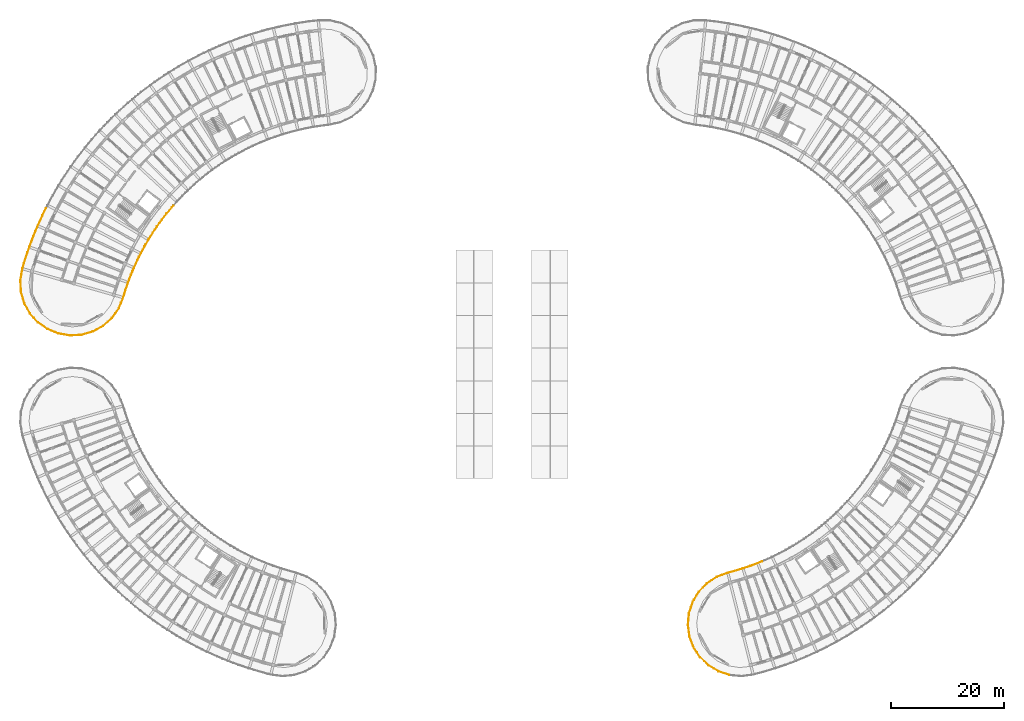
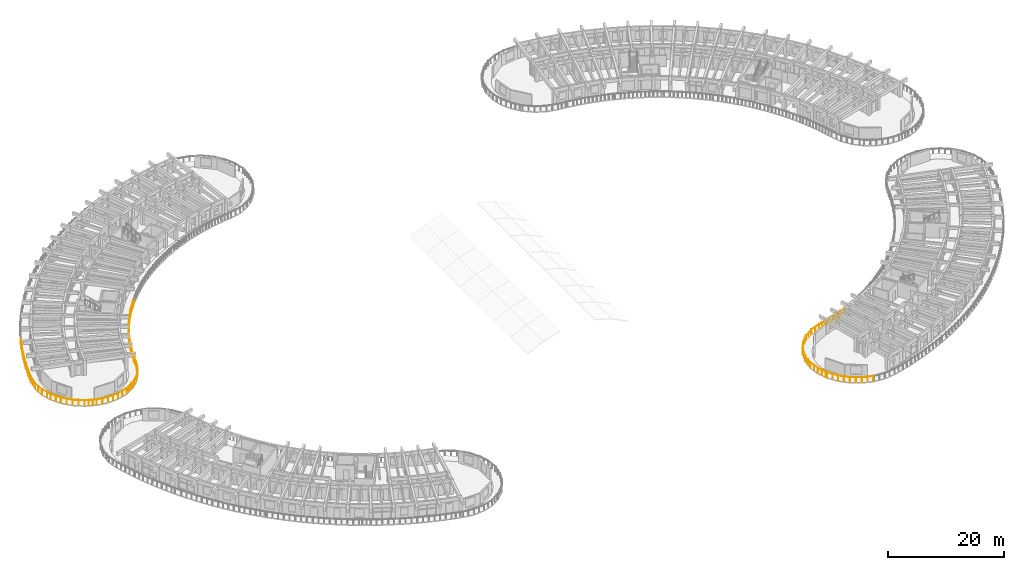
# One storey, part 83 of 96: 11 railings.
"""IFC4 building model written with IfcOpenShell, lengths in metres."""

from ifc_helpers import new_model, si_unit, direction, frame, origin, origin_2d, place, context, subcontext, project, spatial, circle, extrude, material, type_object, element, save


model = new_model("IFC4")

# Units and contexts
model_context = context("Model", 3, precision=1e-05, world=origin(), true_north=direction((0.0, 1.0)))
body_context = subcontext(model_context, "Body", "Model", "MODEL_VIEW")
ifc_project = project(units=[si_unit("LENGTHUNIT", "METRE"), si_unit("AREAUNIT", "SQUARE_METRE"), si_unit("VOLUMEUNIT", "CUBIC_METRE"), si_unit("PLANEANGLEUNIT", "RADIAN"), si_unit("MASSUNIT", "GRAM", prefix="KILO")], contexts=[model_context])

# Site, building, storey
site_placement = place(None, origin())
site = spatial("IfcSite", under=ifc_project, at=site_placement, CompositionType="ELEMENT")
building_placement = place(site_placement, origin())
building = spatial("IfcBuilding", under=site, at=building_placement, Name="Tanwirah Colonnade Gardens", CompositionType="ELEMENT")
storey_placement = place(building_placement, frame((0.0, 0.0, 12.199951171875)))
storey = spatial("IfcBuildingStorey", under=building, at=storey_placement, Name="L03", CompositionType="ELEMENT", Elevation=12.199951171875)

# Railings
ifc_material = material(Name="Precast concrete C40/50", Category="concrete")
railing_type_1 = type_object("IfcRailingType", Name="BAL-EXT110", PredefinedType="BALUSTRADE", material=ifc_material)
railing_1_placement = place(storey_placement, frame((129.36962890625, 22.35888671875, 0.0)))
element("IfcRailing", 1, at=railing_1_placement, inside=storey, type_object=railing_type_1, Name="Block D L03 Balcony Ribbon Balustrade 1", PredefinedType="BALUSTRADE", context=body_context, shape_type="SweptSolid", body=[
    extrude(circle(Radius=0.02392578125, at=origin_2d()), frame((0.029296875, 0.010986328125, 1.076171875), z_axis=(0.937103821965, 0.349050751121, 0.0), x_axis=(-0.349050751121, 0.937103821965, 0.0)), (0.0, 0.0, 1.0), 2.029541015625),
    extrude(circle(Radius=0.02392578125, at=origin_2d()), frame((1.99072265625, 0.73828125, 1.076171875), z_axis=(0.96619995466, 0.257793808332, 0.0), x_axis=(-0.257793808332, 0.96619995466, 0.0)), (0.0, 0.0, 1.0), 1.32763671875),
    extrude(circle(Radius=0.02392578125, at=origin_2d()), frame((3.33642578125, 1.098388671875, 1.076171875), z_axis=(0.957270084886, 0.289195408993, 0.0), x_axis=(-0.289195408993, 0.957270084886, 0.0)), (0.0, 0.0, 1.0), 1.331298828125),
    extrude(circle(Radius=0.02392578125, at=origin_2d()), frame((4.6728515625, 1.503173828125, 1.076171875), z_axis=(0.947255234668, 0.320480140404, 0.0), x_axis=(-0.320480140404, 0.947255234668, 0.0)), (0.0, 0.0, 1.0), 1.33154296875),
    extrude(circle(Radius=0.02392578125, at=origin_2d()), frame((5.99560546875, 1.951904296875, 1.076171875), z_axis=(0.936314781462, 0.351161828813, 0.0), x_axis=(-0.351161828813, 0.936314781462, 0.0)), (0.0, 0.0, 1.0), 1.33154296875),
    extrude(circle(Radius=0.02392578125, at=origin_2d()), frame((7.302734375, 2.443359375, 1.076171875), z_axis=(0.924297734164, 0.38167223978, 0.0), x_axis=(-0.38167223978, 0.924297734164, 0.0)), (0.0, 0.0, 1.0), 0.7626953125),
    extrude(circle(Radius=0.02099609375, at=origin_2d()), origin(), (0.0, 0.0, 1.0), 1.049072265625),
    extrude(circle(Radius=0.02099609375, at=origin_2d()), frame((0.980224609375, 0.365234375, 0.0)), (0.0, 0.0, 1.0), 1.049072265625),
    extrude(circle(Radius=0.02099609375, at=origin_2d()), frame((1.96044921875, 0.730224609375, 0.0)), (0.0, 0.0, 1.0), 1.049072265625),
    extrude(circle(Radius=0.02099609375, at=origin_2d()), frame((2.632080078125, 0.909423828125, 0.0)), (0.0, 0.0, 1.0), 1.049072265625),
    extrude(circle(Radius=0.02099609375, at=origin_2d()), frame((3.3037109375, 1.088623046875, 0.0)), (0.0, 0.0, 1.0), 1.049072265625),
    extrude(circle(Radius=0.02099609375, at=origin_2d()), frame((3.9736328125, 1.291015625, 0.0)), (0.0, 0.0, 1.0), 1.049072265625),
    extrude(circle(Radius=0.02099609375, at=origin_2d()), frame((4.640625, 1.492431640625, 0.0)), (0.0, 0.0, 1.0), 1.049072265625),
    extrude(circle(Radius=0.02099609375, at=origin_2d()), frame((5.3037109375, 1.716552734375, 0.0)), (0.0, 0.0, 1.0), 1.049072265625),
    extrude(circle(Radius=0.02099609375, at=origin_2d()), frame((5.9638671875, 1.93994140625, 0.0)), (0.0, 0.0, 1.0), 1.049072265625),
    extrude(circle(Radius=0.02099609375, at=origin_2d()), frame((6.618896484375, 2.185546875, 0.0)), (0.0, 0.0, 1.0), 1.049072265625),
    extrude(circle(Radius=0.02099609375, at=origin_2d()), frame((7.271484375, 2.430419921875, 0.0)), (0.0, 0.0, 1.0), 1.049072265625),
    extrude(circle(Radius=0.02099609375, at=origin_2d()), frame((8.03662109375, 2.746337890625, 0.0)), (0.0, 0.0, 1.0), 1.049072265625),
])
railing_2_placement = place(storey_placement, frame((131.574951171875, 4.956298828125, 0.0)))
element("IfcRailing", 2, at=railing_2_placement, inside=storey, type_object=railing_type_1, Name="Block D L03 Balcony Ribbon Balustrade 18", PredefinedType="BALUSTRADE", context=body_context, shape_type="SweptSolid", body=[
    extrude(circle(Radius=0.02392578125, at=origin_2d()), frame((-0.02978515625, 0.009765625, 1.076171875), z_axis=(-0.950295740151, 0.311348689176, 0.0), x_axis=(-0.311348689176, -0.950295740151, 0.0)), (0.0, 0.0, 1.0), 1.90576171875),
    extrude(circle(Radius=0.02392578125, at=origin_2d()), frame((-1.897216796875, 0.62890625, 1.076171875), z_axis=(-0.85719342111, 0.514994600754, 0.0), x_axis=(-0.514994600754, -0.85719342111, 0.0)), (0.0, 0.0, 1.0), 2.0244140625),
    extrude(circle(Radius=0.02392578125, at=origin_2d()), frame((-3.681640625, 1.709228515625, 1.076171875), z_axis=(-0.721062309091, 0.692870223353, 0.0), x_axis=(-0.692870223353, -0.721062309091, 0.0)), (0.0, 0.0, 1.0), 2.0244140625),
    extrude(circle(Radius=0.02392578125, at=origin_2d()), frame((-5.18115234375, 3.15966796875, 1.076171875), z_axis=(-0.548773979468, 0.835970764715, 0.0), x_axis=(-0.835970764715, -0.548773979468, 0.0)), (0.0, 0.0, 1.0), 2.0244140625),
    extrude(circle(Radius=0.02392578125, at=origin_2d()), frame((-6.3203125, 4.907470703125, 1.076171875), z_axis=(-0.349248505254, 0.937030139098, 0.0), x_axis=(-0.937030139098, -0.349248505254, 0.0)), (0.0, 0.0, 1.0), 0.208740234375),
    extrude(circle(Radius=0.02099609375, at=origin_2d()), origin(), (0.0, 0.0, 1.0), 1.049072265625),
    extrude(circle(Radius=0.02099609375, at=origin_2d()), frame((-0.93505859375, 0.306396484375, 0.0)), (0.0, 0.0, 1.0), 1.049072265625),
    extrude(circle(Radius=0.02099609375, at=origin_2d()), frame((-1.870361328125, 0.61279296875, 0.0)), (0.0, 0.0, 1.0), 1.049072265625),
    extrude(circle(Radius=0.02099609375, at=origin_2d()), frame((-2.7646484375, 1.150146484375, 0.0)), (0.0, 0.0, 1.0), 1.049072265625),
    extrude(circle(Radius=0.02099609375, at=origin_2d()), frame((-3.6591796875, 1.6875, 0.0)), (0.0, 0.0, 1.0), 1.049072265625),
    extrude(circle(Radius=0.02099609375, at=origin_2d()), frame((-4.41162109375, 2.41064453125, 0.0)), (0.0, 0.0, 1.0), 1.049072265625),
    extrude(circle(Radius=0.02099609375, at=origin_2d()), frame((-5.1640625, 3.133544921875, 0.0)), (0.0, 0.0, 1.0), 1.049072265625),
    extrude(circle(Radius=0.02099609375, at=origin_2d()), frame((-5.73681640625, 4.005859375, 0.0)), (0.0, 0.0, 1.0), 1.049072265625),
    extrude(circle(Radius=0.02099609375, at=origin_2d()), frame((-6.309326171875, 4.878173828125, 0.0)), (0.0, 0.0, 1.0), 1.049072265625),
    extrude(circle(Radius=0.02099609375, at=origin_2d()), frame((-6.404052734375, 5.13232421875, 0.0)), (0.0, 0.0, 1.0), 1.049072265625),
])
railing_3_placement = place(storey_placement, frame((125.1708984375, 10.088623046875, 0.0)))
element("IfcRailing", 3, at=railing_3_placement, inside=storey, type_object=railing_type_1, Name="Block D L03 Balcony Ribbon Balustrade 19", PredefinedType="BALUSTRADE", context=body_context, shape_type="SweptSolid", body=[
    extrude(circle(Radius=0.02392578125, at=origin_2d()), frame((-0.010986328125, 0.029296875, 1.076171875), z_axis=(-0.348956204715, 0.93713903301, 0.0), x_axis=(-0.93713903301, -0.348956204715, 0.0)), (0.0, 0.0, 1.0), 1.7529296875),
    extrude(circle(Radius=0.02392578125, at=origin_2d()), frame((-0.6376953125, 1.732421875, 1.076171875), z_axis=(-0.131849522063, 0.991269743073, 0.0), x_axis=(-0.991269743073, -0.131849522063, 0.0)), (0.0, 0.0, 1.0), 2.0244140625),
    extrude(circle(Radius=0.02392578125, at=origin_2d()), frame((-0.90576171875, 3.80126953125, 1.076171875), z_axis=(0.092181027347, 0.995742264945, 0.0), x_axis=(-0.995742264945, 0.092181027347, 0.0)), (0.0, 0.0, 1.0), 2.0244140625),
    extrude(circle(Radius=0.02392578125, at=origin_2d()), frame((-0.70654296875, 5.8779296875, 1.076171875), z_axis=(0.311415597507, 0.950273816134, 0.0), x_axis=(-0.950273816134, 0.311415597507, 0.0)), (0.0, 0.0, 1.0), 2.0244140625),
    extrude(circle(Radius=0.02392578125, at=origin_2d()), frame((-0.05029296875, 7.858154296875, 1.076171875), z_axis=(0.51483484624, 0.857289380021, 0.0), x_axis=(-0.857289380021, 0.51483484624, 0.0)), (0.0, 0.0, 1.0), 0.36083984375),
    extrude(circle(Radius=0.02099609375, at=origin_2d()), origin(), (0.0, 0.0, 1.0), 1.049072265625),
    extrude(circle(Radius=0.02099609375, at=origin_2d()), frame((-0.31689453125, 0.8505859375, 0.0)), (0.0, 0.0, 1.0), 1.049072265625),
    extrude(circle(Radius=0.02099609375, at=origin_2d()), frame((-0.633544921875, 1.701416015625, 0.0)), (0.0, 0.0, 1.0), 1.049072265625),
    extrude(circle(Radius=0.02099609375, at=origin_2d()), frame((-0.77099609375, 2.73583984375, 0.0)), (0.0, 0.0, 1.0), 1.049072265625),
    extrude(circle(Radius=0.02099609375, at=origin_2d()), frame((-0.90869140625, 3.77001953125, 0.0)), (0.0, 0.0, 1.0), 1.049072265625),
    extrude(circle(Radius=0.02099609375, at=origin_2d()), frame((-0.8125, 4.80908203125, 0.0)), (0.0, 0.0, 1.0), 1.049072265625),
    extrude(circle(Radius=0.02099609375, at=origin_2d()), frame((-0.71630859375, 5.84814453125, 0.0)), (0.0, 0.0, 1.0), 1.049072265625),
    extrude(circle(Radius=0.02099609375, at=origin_2d()), frame((-0.391357421875, 6.83984375, 0.0)), (0.0, 0.0, 1.0), 1.049072265625),
    extrude(circle(Radius=0.02099609375, at=origin_2d()), frame((-0.06640625, 7.831298828125, 0.0)), (0.0, 0.0, 1.0), 1.049072265625),
    extrude(circle(Radius=0.02099609375, at=origin_2d()), frame((0.151611328125, 8.1943359375, 0.0)), (0.0, 0.0, 1.0), 1.049072265625),
])
railing_4_placement = place(storey_placement, frame((125.322509765625, 18.282958984375, 0.0)))
element("IfcRailing", 4, at=railing_4_placement, inside=storey, type_object=railing_type_1, Name="Block D L03 Balcony Ribbon Balustrade 20", PredefinedType="BALUSTRADE", context=body_context, shape_type="SweptSolid", body=[
    extrude(circle(Radius=0.02392578125, at=origin_2d()), frame((0.01611328125, 0.02685546875, 1.076171875), z_axis=(0.515035269405, 0.857168986413, 0.0), x_axis=(-0.857168986413, 0.515035269405, 0.0)), (0.0, 0.0, 1.0), 1.600830078125),
    extrude(circle(Radius=0.02392578125, at=origin_2d()), frame((0.87841796875, 1.4482421875, 1.076171875), z_axis=(0.692870223353, 0.721062309091, 0.0), x_axis=(-0.721062309091, 0.692870223353, 0.0)), (0.0, 0.0, 1.0), 2.0244140625),
    extrude(circle(Radius=0.02392578125, at=origin_2d()), frame((2.328857421875, 2.94775390625, 1.076171875), z_axis=(0.835935529347, 0.548827651248, 0.0), x_axis=(-0.548827651248, 0.835935529347, 0.0)), (0.0, 0.0, 1.0), 2.024169921875),
    extrude(circle(Radius=0.02099609375, at=origin_2d()), origin(), (0.0, 0.0, 1.0), 1.049072265625),
    extrude(circle(Radius=0.02099609375, at=origin_2d()), frame((0.42822265625, 0.712890625, 0.0)), (0.0, 0.0, 1.0), 1.049072265625),
    extrude(circle(Radius=0.02099609375, at=origin_2d()), frame((0.856689453125, 1.42578125, 0.0)), (0.0, 0.0, 1.0), 1.049072265625),
    extrude(circle(Radius=0.02099609375, at=origin_2d()), frame((1.57958984375, 2.17822265625, 0.0)), (0.0, 0.0, 1.0), 1.049072265625),
    extrude(circle(Radius=0.02099609375, at=origin_2d()), frame((2.302734375, 2.9306640625, 0.0)), (0.0, 0.0, 1.0), 1.049072265625),
    extrude(circle(Radius=0.02099609375, at=origin_2d()), frame((3.1748046875, 3.50341796875, 0.0)), (0.0, 0.0, 1.0), 1.049072265625),
    extrude(circle(Radius=0.02099609375, at=origin_2d()), frame((4.047119140625, 4.075927734375, 0.0)), (0.0, 0.0, 1.0), 1.049072265625),
])
railing_type_2 = type_object("IfcRailingType", Name="BAL-EXT112", PredefinedType="BALUSTRADE", material=ifc_material)
railing_5_placement = place(storey_placement, frame((32.869384765625, 88.28515625, 0.0)))
element("IfcRailing", 5, at=railing_5_placement, inside=storey, type_object=railing_type_2, Name="Block A L03 Balcony Ribbon Balustrade 5", PredefinedType="BALUSTRADE", context=body_context, shape_type="SweptSolid", body=[
    extrude(circle(Radius=0.02392578125, at=origin_2d()), frame((-0.020751953125, -0.0234375, 1.09619140625), z_axis=(-0.662562077046, -0.749007005348, 0.0), x_axis=(0.749007005348, -0.662562077046, 0.0)), (0.0, 0.0, 1.0), 0.3837890625),
    extrude(circle(Radius=0.02392578125, at=origin_2d()), frame((-0.3173828125, -0.3603515625, 1.09619140625), z_axis=(-0.637581943595, -0.770382544715, 0.0), x_axis=(0.770382544715, -0.637581943595, 0.0)), (0.0, 0.0, 1.0), 1.342041015625),
    extrude(circle(Radius=0.02392578125, at=origin_2d()), frame((-1.213623046875, -1.44482421875, 1.09619140625), z_axis=(-0.611783903817, -0.791024939576, 0.0), x_axis=(0.791024939576, -0.611783903817, 0.0)), (0.0, 0.0, 1.0), 1.341796875),
    extrude(circle(Radius=0.02392578125, at=origin_2d()), frame((-2.073486328125, -2.55859375, 1.09619140625), z_axis=(-0.585522290474, -0.810656306556, 0.0), x_axis=(0.810656306556, -0.585522290474, 0.0)), (0.0, 0.0, 1.0), 1.341796875),
    extrude(circle(Radius=0.02392578125, at=origin_2d()), frame((-2.896484375, -3.69970703125, 1.09619140625), z_axis=(-0.558385571779, -0.829581553091, 0.0), x_axis=(0.829581553091, -0.558385571779, 0.0)), (0.0, 0.0, 1.0), 1.341796875),
    extrude(circle(Radius=0.02392578125, at=origin_2d()), frame((-3.68115234375, -4.86767578125, 1.09619140625), z_axis=(-0.530764445851, -0.847519382091, 0.0), x_axis=(0.847519382091, -0.530764445851, 0.0)), (0.0, 0.0, 1.0), 1.341796875),
    extrude(circle(Radius=0.02392578125, at=origin_2d()), frame((-4.427001953125, -6.060546875, 1.09619140625), z_axis=(-0.502361540351, -0.864657667968, 0.0), x_axis=(0.864657667968, -0.502361540351, 0.0)), (0.0, 0.0, 1.0), 0.95361328125),
    extrude(circle(Radius=0.02099609375, at=origin_2d()), origin(), (0.0, 0.0, 1.0), 1.069091796875),
    extrude(circle(Radius=0.02099609375, at=origin_2d()), frame((-0.295654296875, -0.334228515625, 0.0)), (0.0, 0.0, 1.0), 1.069091796875),
    extrude(circle(Radius=0.02099609375, at=origin_2d()), frame((-0.7451171875, -0.877197265625, 0.0)), (0.0, 0.0, 1.0), 1.069091796875),
    extrude(circle(Radius=0.02099609375, at=origin_2d()), frame((-1.19287109375, -1.418212890625, 0.0)), (0.0, 0.0, 1.0), 1.069091796875),
    extrude(circle(Radius=0.02099609375, at=origin_2d()), frame((-1.6240234375, -1.9755859375, 0.0)), (0.0, 0.0, 1.0), 1.069091796875),
    extrude(circle(Radius=0.02099609375, at=origin_2d()), frame((-2.0537109375, -2.531005859375, 0.0)), (0.0, 0.0, 1.0), 1.069091796875),
    extrude(circle(Radius=0.02099609375, at=origin_2d()), frame((-2.46630859375, -3.1025390625, 0.0)), (0.0, 0.0, 1.0), 1.069091796875),
    extrude(circle(Radius=0.02099609375, at=origin_2d()), frame((-2.87744140625, -3.671630859375, 0.0)), (0.0, 0.0, 1.0), 1.069091796875),
    extrude(circle(Radius=0.02099609375, at=origin_2d()), frame((-3.27099609375, -4.25634765625, 0.0)), (0.0, 0.0, 1.0), 1.069091796875),
    extrude(circle(Radius=0.02099609375, at=origin_2d()), frame((-3.6630859375, -4.8388671875, 0.0)), (0.0, 0.0, 1.0), 1.069091796875),
    extrude(circle(Radius=0.02099609375, at=origin_2d()), frame((-4.037109375, -5.43603515625, 0.0)), (0.0, 0.0, 1.0), 1.069091796875),
    extrude(circle(Radius=0.02099609375, at=origin_2d()), frame((-4.409912109375, -6.03125, 0.0)), (0.0, 0.0, 1.0), 1.069091796875),
    extrude(circle(Radius=0.02099609375, at=origin_2d()), frame((-4.921875, -6.912109375, 0.0)), (0.0, 0.0, 1.0), 1.069091796875),
])
railing_6_placement = place(storey_placement, frame((27.947509765625, 81.373046875, 0.0)))
element("IfcRailing", 6, at=railing_6_placement, inside=storey, type_object=railing_type_2, Name="Block A L03 Balcony Ribbon Balustrade 6", PredefinedType="BALUSTRADE", context=body_context, shape_type="SweptSolid", body=[
    extrude(circle(Radius=0.02392578125, at=origin_2d()), frame((-0.015625, -0.027099609375, 1.09619140625), z_axis=(-0.502423717067, -0.864621540634, 0.0), x_axis=(0.864621540634, -0.502423717067, 0.0)), (0.0, 0.0, 1.0), 0.32568359375),
    extrude(circle(Radius=0.02392578125, at=origin_2d()), frame((-0.211181640625, -0.365478515625, 1.09619140625), z_axis=(-0.473716211853, -0.880677552018, 0.0), x_axis=(0.880677552018, -0.473716211853, 0.0)), (0.0, 0.0, 1.0), 1.341796875),
    extrude(circle(Radius=0.02392578125, at=origin_2d()), frame((-0.876708984375, -1.60498046875, 1.09619140625), z_axis=(-0.444499692011, -0.895779003885, 0.0), x_axis=(0.895779003885, -0.444499692011, 0.0)), (0.0, 0.0, 1.0), 1.341796875),
    extrude(circle(Radius=0.02392578125, at=origin_2d()), frame((-1.501220703125, -2.865966796875, 1.09619140625), z_axis=(-0.414654197084, -0.909979063957, 0.0), x_axis=(0.909979063957, -0.414654197084, 0.0)), (0.0, 0.0, 1.0), 1.341796875),
    extrude(circle(Radius=0.02392578125, at=origin_2d()), frame((-2.08349609375, -4.146484375, 1.09619140625), z_axis=(-0.384541319971, -0.923107779858, 0.0), x_axis=(0.923107779858, -0.384541319971, 0.0)), (0.0, 0.0, 1.0), 1.341796875),
    extrude(circle(Radius=0.02392578125, at=origin_2d()), frame((-2.62353515625, -5.44580078125, 1.09619140625), z_axis=(-0.353789339155, -0.935325132508, 0.0), x_axis=(0.935325132508, -0.353789339155, 0.0)), (0.0, 0.0, 1.0), 1.341796875),
    extrude(circle(Radius=0.02392578125, at=origin_2d()), frame((-3.120361328125, -6.761962890625, 1.09619140625), z_axis=(-0.322900627553, -0.946432873862, 0.0), x_axis=(0.946432873862, -0.322900627553, 0.0)), (0.0, 0.0, 1.0), 1.011962890625),
    extrude(circle(Radius=0.02099609375, at=origin_2d()), origin(), (0.0, 0.0, 1.0), 1.069091796875),
    extrude(circle(Radius=0.02099609375, at=origin_2d()), frame((-0.195068359375, -0.335693359375, 0.0)), (0.0, 0.0, 1.0), 1.069091796875),
    extrude(circle(Radius=0.02099609375, at=origin_2d()), frame((-0.52880859375, -0.956298828125, 0.0)), (0.0, 0.0, 1.0), 1.069091796875),
    extrude(circle(Radius=0.02099609375, at=origin_2d()), frame((-0.861572265625, -1.57470703125, 0.0)), (0.0, 0.0, 1.0), 1.069091796875),
    extrude(circle(Radius=0.02099609375, at=origin_2d()), frame((-1.1748046875, -2.2060546875, 0.0)), (0.0, 0.0, 1.0), 1.069091796875),
    extrude(circle(Radius=0.02099609375, at=origin_2d()), frame((-1.487060546875, -2.8349609375, 0.0)), (0.0, 0.0, 1.0), 1.069091796875),
    extrude(circle(Radius=0.02099609375, at=origin_2d()), frame((-1.779296875, -3.476318359375, 0.0)), (0.0, 0.0, 1.0), 1.069091796875),
    extrude(circle(Radius=0.02099609375, at=origin_2d()), frame((-2.070556640625, -4.115234375, 0.0)), (0.0, 0.0, 1.0), 1.069091796875),
    extrude(circle(Radius=0.02099609375, at=origin_2d()), frame((-2.341552734375, -4.765869140625, 0.0)), (0.0, 0.0, 1.0), 1.069091796875),
    extrude(circle(Radius=0.02099609375, at=origin_2d()), frame((-2.611572265625, -5.4140625, 0.0)), (0.0, 0.0, 1.0), 1.069091796875),
    extrude(circle(Radius=0.02099609375, at=origin_2d()), frame((-2.86083984375, -6.0732421875, 0.0)), (0.0, 0.0, 1.0), 1.069091796875),
    extrude(circle(Radius=0.02099609375, at=origin_2d()), frame((-3.109375, -6.72998046875, 0.0)), (0.0, 0.0, 1.0), 1.069091796875),
    extrude(circle(Radius=0.02099609375, at=origin_2d()), frame((-3.457275390625, -7.749267578125, 0.0)), (0.0, 0.0, 1.0), 1.069091796875),
])
railing_7_placement = place(storey_placement, frame((24.490234375, 73.623779296875, 0.0)))
element("IfcRailing", 7, at=railing_7_placement, inside=storey, type_object=railing_type_2, Name="Block A L03 Balcony Ribbon Balustrade 7", PredefinedType="BALUSTRADE", context=body_context, shape_type="SweptSolid", body=[
    extrude(circle(Radius=0.02392578125, at=origin_2d()), frame((-0.010009765625, -0.029541015625, 1.09619140625), z_axis=(-0.322432998428, -0.946592288963, 0.0), x_axis=(0.946592288963, -0.322432998428, 0.0)), (0.0, 0.0, 1.0), 0.267578125),
    extrude(circle(Radius=0.02392578125, at=origin_2d()), frame((-0.1162109375, -0.3447265625, 1.09619140625), z_axis=(-0.29148764702, -0.956574592823, 0.0), x_axis=(0.956574592823, -0.29148764702, 0.0)), (0.0, 0.0, 1.0), 1.337890625),
    extrude(circle(Radius=0.02392578125, at=origin_2d()), frame((-0.52734375, -1.683349609375, 1.09619140625), z_axis=(-0.381489237895, -0.92437328032, 0.0), x_axis=(0.92437328032, -0.381489237895, 0.0)), (0.0, 0.0, 1.0), 2.029541015625),
    extrude(circle(Radius=0.02392578125, at=origin_2d()), frame((-1.33154296875, -3.614013671875, 1.09619140625), z_axis=(-0.577647272924, -0.816286486525, 0.0), x_axis=(0.816286486525, -0.577647272924, 0.0)), (0.0, 0.0, 1.0), 2.0244140625),
    extrude(circle(Radius=0.02392578125, at=origin_2d()), frame((-2.542236328125, -5.312744140625, 1.09619140625), z_axis=(-0.744822012119, -0.667263194146, 0.0), x_axis=(0.667263194146, -0.744822012119, 0.0)), (0.0, 0.0, 1.0), 2.0244140625),
    extrude(circle(Radius=0.02392578125, at=origin_2d()), frame((-4.100830078125, -6.69970703125, 1.09619140625), z_axis=(-0.874616555828, -0.48481530532, 0.0), x_axis=(0.48481530532, -0.874616555828, 0.0)), (0.0, 0.0, 1.0), 0.4384765625),
    extrude(circle(Radius=0.02099609375, at=origin_2d()), origin(), (0.0, 0.0, 1.0), 1.069091796875),
    extrude(circle(Radius=0.02099609375, at=origin_2d()), frame((-0.1064453125, -0.3125, 0.0)), (0.0, 0.0, 1.0), 1.069091796875),
    extrude(circle(Radius=0.02099609375, at=origin_2d()), frame((-0.311279296875, -0.98486328125, 0.0)), (0.0, 0.0, 1.0), 1.069091796875),
    extrude(circle(Radius=0.02099609375, at=origin_2d()), frame((-0.515380859375, -1.654541015625, 0.0)), (0.0, 0.0, 1.0), 1.069091796875),
    extrude(circle(Radius=0.02099609375, at=origin_2d()), frame((-0.91455078125, -2.62158203125, 0.0)), (0.0, 0.0, 1.0), 1.069091796875),
    extrude(circle(Radius=0.02099609375, at=origin_2d()), frame((-1.3134765625, -3.58837890625, 0.0)), (0.0, 0.0, 1.0), 1.069091796875),
    extrude(circle(Radius=0.02099609375, at=origin_2d()), frame((-1.916259765625, -4.440185546875, 0.0)), (0.0, 0.0, 1.0), 1.069091796875),
    extrude(circle(Radius=0.02099609375, at=origin_2d()), frame((-2.51904296875, -5.2919921875, 0.0)), (0.0, 0.0, 1.0), 1.069091796875),
    extrude(circle(Radius=0.02099609375, at=origin_2d()), frame((-3.29638671875, -5.98828125, 0.0)), (0.0, 0.0, 1.0), 1.069091796875),
    extrude(circle(Radius=0.02099609375, at=origin_2d()), frame((-4.073486328125, -6.6845703125, 0.0)), (0.0, 0.0, 1.0), 1.069091796875),
    extrude(circle(Radius=0.02099609375, at=origin_2d()), frame((-4.51171875, -6.927490234375, 0.0)), (0.0, 0.0, 1.0), 1.069091796875),
])
railing_8_placement = place(storey_placement, frame((19.978515625, 66.6962890625, 0.0)))
element("IfcRailing", 8, at=railing_8_placement, inside=storey, type_object=railing_type_2, Name="Block A L03 Balcony Ribbon Balustrade 8", PredefinedType="BALUSTRADE", context=body_context, shape_type="SweptSolid", body=[
    extrude(circle(Radius=0.02392578125, at=origin_2d()), frame((-0.02734375, -0.01513671875, 1.09619140625), z_axis=(-0.874621647365, -0.48480611997, 0.0), x_axis=(0.48480611997, -0.874621647365, 0.0)), (0.0, 0.0, 1.0), 1.523193359375),
    extrude(circle(Radius=0.02392578125, at=origin_2d()), frame((-1.4169921875, -0.777587890625, 1.09619140625), z_axis=(-0.960560153031, -0.278072279108, 0.0), x_axis=(0.278072279108, -0.960560153031, 0.0)), (0.0, 0.0, 1.0), 2.0244140625),
    extrude(circle(Radius=0.02392578125, at=origin_2d()), frame((-3.4228515625, -1.350830078125, 1.09619140625), z_axis=(-0.998362374442, -0.057206374631, 0.0), x_axis=(0.057206374631, -0.998362374442, 0.0)), (0.0, 0.0, 1.0), 2.0244140625),
    extrude(circle(Radius=0.02392578125, at=origin_2d()), frame((-5.505859375, -1.46337890625, 1.09619140625), z_axis=(-0.986085511051, 0.166238879013, 0.0), x_axis=(-0.166238879013, -0.986085511051, 0.0)), (0.0, 0.0, 1.0), 2.0244140625),
    extrude(circle(Radius=0.02392578125, at=origin_2d()), frame((-7.561767578125, -1.109619140625, 1.09619140625), z_axis=(-0.924376024919, 0.381482587487, 0.0), x_axis=(-0.381482587487, -0.924376024919, 0.0)), (0.0, 0.0, 1.0), 0.5908203125),
    extrude(circle(Radius=0.02099609375, at=origin_2d()), origin(), (0.0, 0.0, 1.0), 1.069091796875),
    extrude(circle(Radius=0.02099609375, at=origin_2d()), frame((-0.693359375, -0.38427734375, 0.0)), (0.0, 0.0, 1.0), 1.069091796875),
    extrude(circle(Radius=0.02099609375, at=origin_2d()), frame((-1.386962890625, -0.768798828125, 0.0)), (0.0, 0.0, 1.0), 1.069091796875),
    extrude(circle(Radius=0.02099609375, at=origin_2d()), frame((-2.38916015625, -1.05908203125, 0.0)), (0.0, 0.0, 1.0), 1.069091796875),
    extrude(circle(Radius=0.02099609375, at=origin_2d()), frame((-3.3916015625, -1.34912109375, 0.0)), (0.0, 0.0, 1.0), 1.069091796875),
    extrude(circle(Radius=0.02099609375, at=origin_2d()), frame((-4.433349609375, -1.40869140625, 0.0)), (0.0, 0.0, 1.0), 1.069091796875),
    extrude(circle(Radius=0.02099609375, at=origin_2d()), frame((-5.47509765625, -1.468505859375, 0.0)), (0.0, 0.0, 1.0), 1.069091796875),
    extrude(circle(Radius=0.02099609375, at=origin_2d()), frame((-6.50390625, -1.294921875, 0.0)), (0.0, 0.0, 1.0), 1.069091796875),
    extrude(circle(Radius=0.02099609375, at=origin_2d()), frame((-7.532958984375, -1.12158203125, 0.0)), (0.0, 0.0, 1.0), 1.069091796875),
    extrude(circle(Radius=0.02099609375, at=origin_2d()), frame((-8.136962890625, -0.872314453125, 0.0)), (0.0, 0.0, 1.0), 1.069091796875),
])
railing_9_placement = place(storey_placement, frame((11.841552734375, 65.823974609375, 0.0)))
element("IfcRailing", 9, at=railing_9_placement, inside=storey, type_object=railing_type_2, Name="Block A L03 Balcony Ribbon Balustrade 9", PredefinedType="BALUSTRADE", context=body_context, shape_type="SweptSolid", body=[
    extrude(circle(Radius=0.02392578125, at=origin_2d()), frame((-0.02880859375, 0.011962890625, 1.09619140625), z_axis=(-0.924356771704, 0.381529236893, 0.0), x_axis=(-0.381529236893, -0.924356771704, 0.0)), (0.0, 0.0, 1.0), 1.370849609375),
    extrude(circle(Radius=0.02392578125, at=origin_2d()), frame((-1.3505859375, 0.56494140625, 1.09619140625), z_axis=(-0.816286486525, 0.577647272924, 0.0), x_axis=(-0.577647272924, -0.816286486525, 0.0)), (0.0, 0.0, 1.0), 2.0244140625),
    extrude(circle(Radius=0.02392578125, at=origin_2d()), frame((-3.04931640625, 1.775634765625, 1.09619140625), z_axis=(-0.667263194146, 0.744822012119, 0.0), x_axis=(-0.744822012119, -0.667263194146, 0.0)), (0.0, 0.0, 1.0), 2.0244140625),
    extrude(circle(Radius=0.02392578125, at=origin_2d()), frame((-4.436279296875, 3.334228515625, 1.09619140625), z_axis=(-0.484808325403, 0.874620424882, 0.0), x_axis=(-0.874620424882, -0.484808325403, 0.0)), (0.0, 0.0, 1.0), 2.0244140625),
    extrude(circle(Radius=0.02392578125, at=origin_2d()), frame((-5.441650390625, 5.162109375, 1.09619140625), z_axis=(-0.277881479948, 0.960615366888, 0.0), x_axis=(-0.960615366888, -0.277881479948, 0.0)), (0.0, 0.0, 1.0), 0.7431640625),
    extrude(circle(Radius=0.02099609375, at=origin_2d()), origin(), (0.0, 0.0, 1.0), 1.069091796875),
    extrude(circle(Radius=0.02099609375, at=origin_2d()), frame((-0.66259765625, 0.2734375, 0.0)), (0.0, 0.0, 1.0), 1.069091796875),
    extrude(circle(Radius=0.02099609375, at=origin_2d()), frame((-1.324951171875, 0.546875, 0.0)), (0.0, 0.0, 1.0), 1.069091796875),
    extrude(circle(Radius=0.02099609375, at=origin_2d()), frame((-2.1767578125, 1.149658203125, 0.0)), (0.0, 0.0, 1.0), 1.069091796875),
    extrude(circle(Radius=0.02099609375, at=origin_2d()), frame((-3.028564453125, 1.75244140625, 0.0)), (0.0, 0.0, 1.0), 1.069091796875),
    extrude(circle(Radius=0.02099609375, at=origin_2d()), frame((-3.724853515625, 2.52978515625, 0.0)), (0.0, 0.0, 1.0), 1.069091796875),
    extrude(circle(Radius=0.02099609375, at=origin_2d()), frame((-4.421142578125, 3.306884765625, 0.0)), (0.0, 0.0, 1.0), 1.069091796875),
    extrude(circle(Radius=0.02099609375, at=origin_2d()), frame((-4.927001953125, 4.219482421875, 0.0)), (0.0, 0.0, 1.0), 1.069091796875),
    extrude(circle(Radius=0.02099609375, at=origin_2d()), frame((-5.432861328125, 5.132080078125, 0.0)), (0.0, 0.0, 1.0), 1.069091796875),
    extrude(circle(Radius=0.02099609375, at=origin_2d()), frame((-5.65673828125, 5.906005859375, 0.0)), (0.0, 0.0, 1.0), 1.069091796875),
])
railing_10_placement = place(storey_placement, frame((6.184814453125, 71.72998046875, 0.0)))
element("IfcRailing", 10, at=railing_10_placement, inside=storey, type_object=railing_type_2, Name="Block A L03 Balcony Ribbon Balustrade 10", PredefinedType="BALUSTRADE", context=body_context, shape_type="SweptSolid", body=[
    extrude(circle(Radius=0.02392578125, at=origin_2d()), frame((-0.0087890625, 0.030029296875, 1.09619140625), z_axis=(-0.278016434724, 0.960576317646, 0.0), x_axis=(-0.960576317646, -0.278016434724, 0.0)), (0.0, 0.0, 1.0), 1.21875),
    extrude(circle(Radius=0.02392578125, at=origin_2d()), frame((-0.35791015625, 1.261962890625, 1.09619140625), z_axis=(-0.057322977065, 0.998355686266, 0.0), x_axis=(-0.998355686266, -0.057322977065, 0.0)), (0.0, 0.0, 1.0), 2.0244140625),
    extrude(circle(Radius=0.02392578125, at=origin_2d()), frame((-0.470703125, 3.344970703125, 1.09619140625), z_axis=(0.166292387508, 0.986076488847, 0.0), x_axis=(-0.986076488847, 0.166292387508, 0.0)), (0.0, 0.0, 1.0), 2.028076171875),
    extrude(circle(Radius=0.02392578125, at=origin_2d()), frame((-0.119140625, 5.405517578125, 1.09619140625), z_axis=(0.291363831298, 0.956612313224, 0.0), x_axis=(-0.956612313224, 0.291363831298, 0.0)), (0.0, 0.0, 1.0), 1.955078125),
    extrude(circle(Radius=0.02392578125, at=origin_2d()), frame((0.4697265625, 7.33544921875, 1.09619140625), z_axis=(0.322945869443, 0.946417437186, 0.0), x_axis=(-0.946417437186, 0.322945869443, 0.0)), (0.0, 0.0, 1.0), 0.961181640625),
    extrude(circle(Radius=0.02099609375, at=origin_2d()), origin(), (0.0, 0.0, 1.0), 1.069091796875),
    extrude(circle(Radius=0.02099609375, at=origin_2d()), frame((-0.356201171875, 1.230712890625, 0.0)), (0.0, 0.0, 1.0), 1.069091796875),
    extrude(circle(Radius=0.02099609375, at=origin_2d()), frame((-0.416015625, 2.2724609375, 0.0)), (0.0, 0.0, 1.0), 1.069091796875),
    extrude(circle(Radius=0.02099609375, at=origin_2d()), frame((-0.475830078125, 3.314208984375, 0.0)), (0.0, 0.0, 1.0), 1.069091796875),
    extrude(circle(Radius=0.02099609375, at=origin_2d()), frame((-0.302001953125, 4.344970703125, 0.0)), (0.0, 0.0, 1.0), 1.069091796875),
    extrude(circle(Radius=0.02099609375, at=origin_2d()), frame((-0.128173828125, 5.375732421875, 0.0)), (0.0, 0.0, 1.0), 1.069091796875),
    extrude(circle(Radius=0.02099609375, at=origin_2d()), frame((0.165771484375, 6.3408203125, 0.0)), (0.0, 0.0, 1.0), 1.069091796875),
    extrude(circle(Radius=0.02099609375, at=origin_2d()), frame((0.459716796875, 7.305908203125, 0.0)), (0.0, 0.0, 1.0), 1.069091796875),
    extrude(circle(Radius=0.02099609375, at=origin_2d()), frame((0.790283203125, 8.274658203125, 0.0)), (0.0, 0.0, 1.0), 1.069091796875),
])
railing_11_placement = place(storey_placement, frame((6.97509765625, 80.004638671875, 0.0)))
element("IfcRailing", 11, at=railing_11_placement, inside=storey, type_object=railing_type_2, Name="Block A L03 Balcony Ribbon Balustrade 11", PredefinedType="BALUSTRADE", context=body_context, shape_type="SweptSolid", body=[
    extrude(circle(Radius=0.02392578125, at=origin_2d()), frame((0.010009765625, 0.029541015625, 1.09619140625), z_axis=(0.322753642414, 0.946483008991, 0.0), x_axis=(-0.946483008991, 0.322753642414, 0.0)), (0.0, 0.0, 1.0), 0.935302734375),
    extrude(circle(Radius=0.02392578125, at=origin_2d()), frame((0.3330078125, 0.9736328125, 1.09619140625), z_axis=(0.353874964852, 0.935292739869, 0.0), x_axis=(-0.935292739869, 0.353874964852, 0.0)), (0.0, 0.0, 1.0), 1.958984375),
    extrude(circle(Radius=0.02392578125, at=origin_2d()), frame((1.04931640625, 2.86376953125, 1.09619140625), z_axis=(0.384409566544, 0.92316265368, 0.0), x_axis=(-0.92316265368, 0.384409566544, 0.0)), (0.0, 0.0, 1.0), 1.958984375),
    extrude(circle(Radius=0.02392578125, at=origin_2d()), frame((1.827392578125, 4.729736328125, 1.09619140625), z_axis=(0.414749084938, 0.909935820013, 0.0), x_axis=(-0.909935820013, 0.414749084938, 0.0)), (0.0, 0.0, 1.0), 1.958984375),
    extrude(circle(Radius=0.02392578125, at=origin_2d()), frame((2.666748046875, 6.568603515625, 1.09619140625), z_axis=(0.444426333087, 0.895815401999, 0.0), x_axis=(-0.895815401999, 0.444426333087, 0.0)), (0.0, 0.0, 1.0), 1.375),
    extrude(circle(Radius=0.02099609375, at=origin_2d()), origin(), (0.0, 0.0, 1.0), 1.069091796875),
    extrude(circle(Radius=0.02099609375, at=origin_2d()), frame((0.322021484375, 0.9443359375, 0.0)), (0.0, 0.0, 1.0), 1.069091796875),
    extrude(circle(Radius=0.02099609375, at=origin_2d()), frame((0.6796875, 1.8896484375, 0.0)), (0.0, 0.0, 1.0), 1.069091796875),
    extrude(circle(Radius=0.02099609375, at=origin_2d()), frame((1.037353515625, 2.8349609375, 0.0)), (0.0, 0.0, 1.0), 1.069091796875),
    extrude(circle(Radius=0.02099609375, at=origin_2d()), frame((1.42578125, 3.76806640625, 0.0)), (0.0, 0.0, 1.0), 1.069091796875),
    extrude(circle(Radius=0.02099609375, at=origin_2d()), frame((1.814453125, 4.701171875, 0.0)), (0.0, 0.0, 1.0), 1.069091796875),
    extrude(circle(Radius=0.02099609375, at=origin_2d()), frame((2.233642578125, 5.620849609375, 0.0)), (0.0, 0.0, 1.0), 1.069091796875),
    extrude(circle(Radius=0.02099609375, at=origin_2d()), frame((2.65283203125, 6.54052734375, 0.0)), (0.0, 0.0, 1.0), 1.069091796875),
    extrude(circle(Radius=0.02099609375, at=origin_2d()), frame((2.97216796875, 7.1845703125, 0.0)), (0.0, 0.0, 1.0), 1.069091796875),
    extrude(circle(Radius=0.02099609375, at=origin_2d()), frame((3.291748046875, 7.828369140625, 0.0)), (0.0, 0.0, 1.0), 1.069091796875),
])

save(model, "model.ifc")
